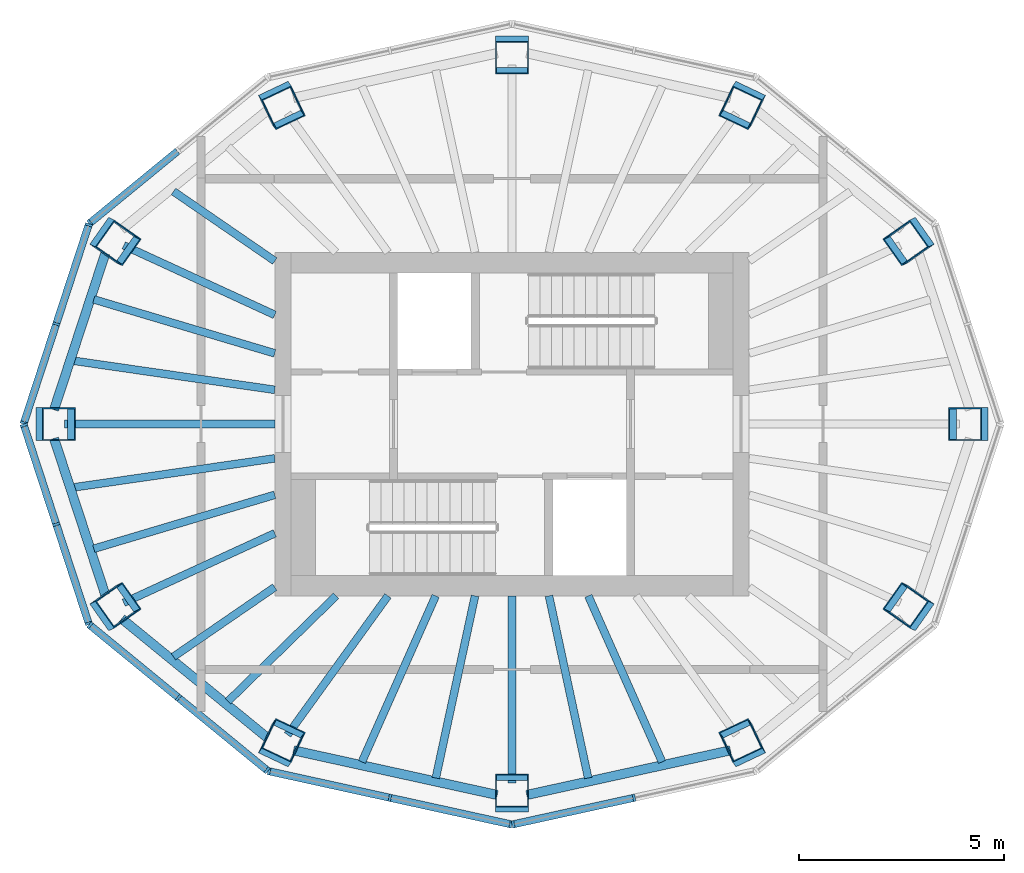
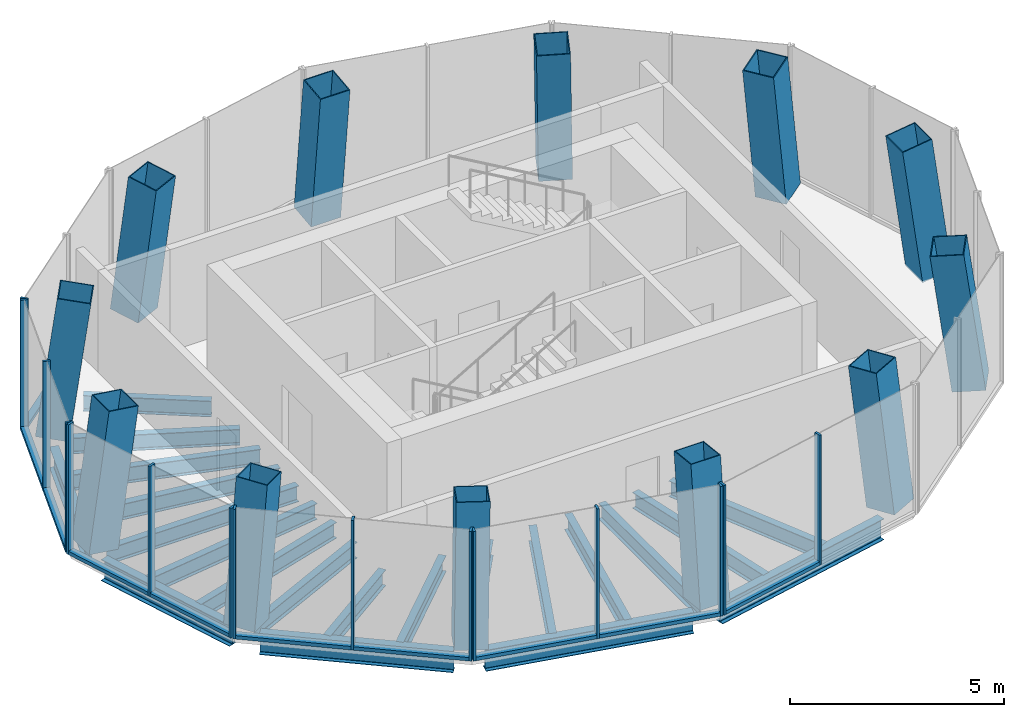
# One storey, part 1 of 5: 25 members, 21 beams, 12 columns, 6 elements without a shape of their own.
"""IFC4 building model written with IfcOpenShell, lengths in metres."""

from ifc_helpers import new_model, si_unit, direction, frame, origin, origin_2d, place, context, subcontext, project, spatial, rectangle, hollow_rectangle, i_section, extrude, material, layer, layer_set, material_profile, profile_set, type_object, element, aggregate, save


model = new_model("IFC4")

# Units and contexts
model_context = context("Model", 3, precision=1e-05, world=origin(), true_north=direction((0.0, 1.0)))
body_context = subcontext(model_context, "Body", "Model", "MODEL_VIEW")
ifc_project = project(units=[si_unit("LENGTHUNIT", "METRE"), si_unit("AREAUNIT", "SQUARE_METRE"), si_unit("VOLUMEUNIT", "CUBIC_METRE"), si_unit("PLANEANGLEUNIT", "RADIAN"), si_unit("MASSUNIT", "GRAM", prefix="KILO")], contexts=[model_context])

# Site, building, storey
site_placement = place(None, origin())
site = spatial("IfcSite", under=ifc_project, at=site_placement, CompositionType="ELEMENT")
building_placement = place(site_placement, origin())
building = spatial("IfcBuilding", under=site, at=building_placement, Name="Siaravel Broadcast Tower", CompositionType="ELEMENT")
storey_placement = place(building_placement, frame((0.0, 0.0, 280.39990234375)))
storey = spatial("IfcBuildingStorey", under=building, at=storey_placement, Name="L68", CompositionType="ELEMENT", Elevation=280.39990234375)

# Columns
ifc_material_1 = material(Name="Concrete C50/60", Category="concrete")
ifc_material_profile_1 = material_profile(ifc_material_1, hollow_rectangle(XDim=0.800048828125, YDim=0.800048828125, WallThickness=0.02490234375, at=origin_2d()))
ifc_profile_set_1 = profile_set([ifc_material_profile_1], Name="Concrete C50/60")
column_type = type_object("IfcColumnType", Name="Crown rib CFT BOX 800x800x25", PredefinedType="COLUMN", material=ifc_profile_set_1)
column_1_placement = place(storey_placement, frame((11.24169921875, 0.0, 0.0), z_axis=(-0.136914367, 0.0, 0.990582887), x_axis=(0.0, -1.0, 0.0)))
element("IfcColumn", 1, at=column_1_placement, inside=storey, type_object=column_type, Name="Crown rib 01", PredefinedType="COLUMN", context=body_context, shape_type="SweptSolid", body=[
    extrude(hollow_rectangle(XDim=0.800048828125, YDim=0.800048828125, WallThickness=0.02490234375, at=origin_2d()), origin(), (0.0, 0.0, 1.0), 3.937255859375),
])
column_2_placement = place(storey_placement, frame((9.767333984375, 4.495849609375, 0.0), z_axis=(-0.119027382, -0.054797277, 0.991377698), x_axis=(0.574755947, -0.817978884, 0.023793837)))
element("IfcColumn", 2, at=column_2_placement, inside=storey, type_object=column_type, Name="Crown rib 02", PredefinedType="COLUMN", context=body_context, shape_type="SweptSolid", body=[
    extrude(hollow_rectangle(XDim=0.800048828125, YDim=0.800048828125, WallThickness=0.02490234375, at=origin_2d()), origin(), (0.0, 0.0, 1.0), 3.93408203125),
])
column_3_placement = place(storey_placement, frame((5.66796875, 7.847900390625, 0.0), z_axis=(-0.069183291, -0.095787468, 0.992994679), x_axis=(0.903250965, -0.428569231, 0.021589555)))
element("IfcColumn", 3, at=column_3_placement, inside=storey, type_object=column_type, Name="Crown rib 03", PredefinedType="COLUMN", context=body_context, shape_type="SweptSolid", body=[
    extrude(hollow_rectangle(XDim=0.800048828125, YDim=0.800048828125, WallThickness=0.02490234375, at=origin_2d()), origin(), (0.0, 0.0, 1.0), 3.927734375),
])
column_4_placement = place(storey_placement, frame((0.0, 9.090576171875, 0.0), z_axis=(0.0, -0.111046025, 0.993815265), x_axis=(1.0, 0.0, 0.0)))
element("IfcColumn", 4, at=column_4_placement, inside=storey, type_object=column_type, Name="Crown rib 04", PredefinedType="COLUMN", context=body_context, shape_type="SweptSolid", body=[
    extrude(hollow_rectangle(XDim=0.800048828125, YDim=0.800048828125, WallThickness=0.02490234375, at=origin_2d()), origin(), (0.0, 0.0, 1.0), 3.92431640625),
])
column_5_placement = place(storey_placement, frame((-5.66796875, 7.847900390625, 0.0), z_axis=(0.069183291, -0.095787468, 0.992994679), x_axis=(0.903250965, 0.428569231, -0.021589555)))
element("IfcColumn", 5, at=column_5_placement, inside=storey, type_object=column_type, Name="Crown rib 05", PredefinedType="COLUMN", context=body_context, shape_type="SweptSolid", body=[
    extrude(hollow_rectangle(XDim=0.800048828125, YDim=0.800048828125, WallThickness=0.02490234375, at=origin_2d()), origin(), (0.0, 0.0, 1.0), 3.927734375),
])
column_6_placement = place(storey_placement, frame((-9.767333984375, 4.495849609375, 0.0), z_axis=(0.119027382, -0.054797277, 0.991377698), x_axis=(0.574755947, 0.817978884, -0.023793837)))
element("IfcColumn", 6, at=column_6_placement, inside=storey, type_object=column_type, Name="Crown rib 06", PredefinedType="COLUMN", context=body_context, shape_type="SweptSolid", body=[
    extrude(hollow_rectangle(XDim=0.800048828125, YDim=0.800048828125, WallThickness=0.02490234375, at=origin_2d()), origin(), (0.0, 0.0, 1.0), 3.93408203125),
])
column_7_placement = place(storey_placement, frame((-11.24169921875, 0.0, 0.0), z_axis=(0.136914367, 0.0, 0.990582887), x_axis=(0.0, 1.0, 0.0)))
element("IfcColumn", 7, at=column_7_placement, inside=storey, type_object=column_type, Name="Crown rib 07", PredefinedType="COLUMN", context=body_context, shape_type="SweptSolid", body=[
    extrude(hollow_rectangle(XDim=0.800048828125, YDim=0.800048828125, WallThickness=0.02490234375, at=origin_2d()), origin(), (0.0, 0.0, 1.0), 3.937255859375),
])
column_8_placement = place(storey_placement, frame((-9.767333984375, -4.495849609375, 0.0), z_axis=(0.119027382, 0.054797277, 0.991377698), x_axis=(-0.574755947, 0.817978884, 0.023793837)))
element("IfcColumn", 8, at=column_8_placement, inside=storey, type_object=column_type, Name="Crown rib 08", PredefinedType="COLUMN", context=body_context, shape_type="SweptSolid", body=[
    extrude(hollow_rectangle(XDim=0.800048828125, YDim=0.800048828125, WallThickness=0.02490234375, at=origin_2d()), origin(), (0.0, 0.0, 1.0), 3.93408203125),
])
column_9_placement = place(storey_placement, frame((-5.66796875, -7.847900390625, 0.0), z_axis=(0.069183291, 0.095787468, 0.992994679), x_axis=(-0.903250965, 0.428569231, 0.021589555)))
element("IfcColumn", 9, at=column_9_placement, inside=storey, type_object=column_type, Name="Crown rib 09", PredefinedType="COLUMN", context=body_context, shape_type="SweptSolid", body=[
    extrude(hollow_rectangle(XDim=0.800048828125, YDim=0.800048828125, WallThickness=0.02490234375, at=origin_2d()), origin(), (0.0, 0.0, 1.0), 3.927734375),
])
column_10_placement = place(storey_placement, frame((0.0, -9.090576171875, 0.0), z_axis=(0.0, 0.111046025, 0.993815265), x_axis=(-1.0, 0.0, 0.0)))
element("IfcColumn", 10, at=column_10_placement, inside=storey, type_object=column_type, Name="Crown rib 10", PredefinedType="COLUMN", context=body_context, shape_type="SweptSolid", body=[
    extrude(hollow_rectangle(XDim=0.800048828125, YDim=0.800048828125, WallThickness=0.02490234375, at=origin_2d()), origin(), (0.0, 0.0, 1.0), 3.92431640625),
])
column_11_placement = place(storey_placement, frame((5.66796875, -7.847900390625, 0.0), z_axis=(-0.069183291, 0.095787468, 0.992994679), x_axis=(-0.903250965, -0.428569231, -0.021589555)))
element("IfcColumn", 11, at=column_11_placement, inside=storey, type_object=column_type, Name="Crown rib 11", PredefinedType="COLUMN", context=body_context, shape_type="SweptSolid", body=[
    extrude(hollow_rectangle(XDim=0.800048828125, YDim=0.800048828125, WallThickness=0.02490234375, at=origin_2d()), origin(), (0.0, 0.0, 1.0), 3.927734375),
])
column_12_placement = place(storey_placement, frame((9.767333984375, -4.495849609375, 0.0), z_axis=(-0.119027382, 0.054797277, 0.991377698), x_axis=(-0.574755947, -0.817978884, -0.023793837)))
element("IfcColumn", 12, at=column_12_placement, inside=storey, type_object=column_type, Name="Crown rib 12", PredefinedType="COLUMN", context=body_context, shape_type="SweptSolid", body=[
    extrude(hollow_rectangle(XDim=0.800048828125, YDim=0.800048828125, WallThickness=0.02490234375, at=origin_2d()), origin(), (0.0, 0.0, 1.0), 3.93408203125),
])

# Curtain wall, member
ifc_material_2 = material(Name="Aluminium 6063-T6", Category="aluminium")
ifc_layer = layer(ifc_material_2, 0.179931640625)
ifc_layer_set = layer_set([ifc_layer], Name="Aluminium 6063-T6")
curtain_wall_type = type_object("IfcCurtainWallType", Name="Crown glass facet wall", PredefinedType="NOTDEFINED", material=ifc_layer_set)
curtain_wall_1_placement = place(storey_placement, origin())
curtain_wall_1 = element("IfcCurtainWall", 13, at=curtain_wall_1_placement, inside=storey, type_object=curtain_wall_type, Name="L68 Crown glass facet wall 05", PredefinedType="NOTDEFINED")
ifc_material_profile_2 = material_profile(ifc_material_2, rectangle(XDim=0.179931640625, YDim=0.06005859375, at=origin_2d()))
ifc_profile_set_2 = profile_set([ifc_material_profile_2], Name="Aluminium 6063-T6")
member_type_1 = type_object("IfcMemberType", Name="CW-CR mullion", PredefinedType="MULLION", material=ifc_profile_set_2)
member_1_placement = place(storey_placement, frame((-10.316650390625, 4.91845703125, 0.0), z_axis=(0.0, 0.0, 1.0), x_axis=(0.633713047, -0.773568209, 0.0)))
member_1 = element("IfcMember", 14, at=member_1_placement, type_object=member_type_1, Name="CW-CR mullion 3", PredefinedType="MULLION", context=body_context, shape_type="SweptSolid", body=[
    extrude(rectangle(XDim=0.179931640625, YDim=0.06005859375, at=origin_2d()), origin(), (0.0, 0.0, 1.0), 3.7001953125),
])

# Curtain wall, members
curtain_wall_2_placement = place(storey_placement, origin())
curtain_wall_2 = element("IfcCurtainWall", 15, at=curtain_wall_2_placement, inside=storey, type_object=curtain_wall_type, Name="L68 Crown glass facet wall 06", PredefinedType="NOTDEFINED")
member_2_placement = place(storey_placement, frame((-10.34912109375, 4.870849609375, 0.0), z_axis=(0.0, 0.0, 1.0), x_axis=(0.950456051, -0.310858963, 0.0)))
member_2 = element("IfcMember", 16, at=member_2_placement, type_object=member_type_1, Name="CW-CR mullion 1", PredefinedType="MULLION", context=body_context, shape_type="SweptSolid", body=[
    extrude(rectangle(XDim=0.179931640625, YDim=0.06005859375, at=origin_2d()), origin(), (0.0, 0.0, 1.0), 3.7001953125),
])
member_3_placement = place(storey_placement, frame((-11.14111328125, 2.44970703125, 0.0), z_axis=(0.0, 0.0, 1.0), x_axis=(0.950456051, -0.310858963, 0.0)))
member_3 = element("IfcMember", 17, at=member_3_placement, type_object=member_type_1, Name="CW-CR mullion 2", PredefinedType="MULLION", context=body_context, shape_type="SweptSolid", body=[
    extrude(rectangle(XDim=0.179931640625, YDim=0.06005859375, at=origin_2d()), origin(), (0.0, 0.0, 1.0), 3.7001953125),
])
member_4_placement = place(storey_placement, frame((-11.93310546875, 0.028564453125, 0.0), z_axis=(0.0, 0.0, 1.0), x_axis=(0.950456051, -0.310858963, 0.0)))
member_4 = element("IfcMember", 18, at=member_4_placement, type_object=member_type_1, Name="CW-CR mullion 3", PredefinedType="MULLION", context=body_context, shape_type="SweptSolid", body=[
    extrude(rectangle(XDim=0.179931640625, YDim=0.06005859375, at=origin_2d()), origin(), (0.0, 0.0, 1.0), 3.7001953125),
])

curtain_wall_3_placement = place(storey_placement, origin())
curtain_wall_3 = element("IfcCurtainWall", 19, at=curtain_wall_3_placement, inside=storey, type_object=curtain_wall_type, Name="L68 Crown glass facet wall 07", PredefinedType="NOTDEFINED")
member_5_placement = place(storey_placement, frame((-11.93310546875, -0.028564453125, 0.0), z_axis=(0.0, 0.0, 1.0), x_axis=(0.950456051, 0.310858963, 0.0)))
member_5 = element("IfcMember", 20, at=member_5_placement, type_object=member_type_1, Name="CW-CR mullion 1", PredefinedType="MULLION", context=body_context, shape_type="SweptSolid", body=[
    extrude(rectangle(XDim=0.179931640625, YDim=0.06005859375, at=origin_2d()), origin(), (0.0, 0.0, 1.0), 3.7001953125),
])
member_6_placement = place(storey_placement, frame((-11.14111328125, -2.44970703125, 0.0), z_axis=(0.0, 0.0, 1.0), x_axis=(0.950456051, 0.310858963, 0.0)))
member_6 = element("IfcMember", 21, at=member_6_placement, type_object=member_type_1, Name="CW-CR mullion 2", PredefinedType="MULLION", context=body_context, shape_type="SweptSolid", body=[
    extrude(rectangle(XDim=0.179931640625, YDim=0.06005859375, at=origin_2d()), origin(), (0.0, 0.0, 1.0), 3.7001953125),
])
member_7_placement = place(storey_placement, frame((-10.34912109375, -4.870849609375, 0.0), z_axis=(0.0, 0.0, 1.0), x_axis=(0.950456051, 0.310858963, 0.0)))
member_7 = element("IfcMember", 22, at=member_7_placement, type_object=member_type_1, Name="CW-CR mullion 3", PredefinedType="MULLION", context=body_context, shape_type="SweptSolid", body=[
    extrude(rectangle(XDim=0.179931640625, YDim=0.06005859375, at=origin_2d()), origin(), (0.0, 0.0, 1.0), 3.7001953125),
])

curtain_wall_4_placement = place(storey_placement, origin())
curtain_wall_4 = element("IfcCurtainWall", 23, at=curtain_wall_4_placement, inside=storey, type_object=curtain_wall_type, Name="L68 Crown glass facet wall 08", PredefinedType="NOTDEFINED")
member_8_placement = place(storey_placement, frame((-10.316650390625, -4.91845703125, 0.0), z_axis=(0.0, 0.0, 1.0), x_axis=(0.633713047, 0.773568209, 0.0)))
member_8 = element("IfcMember", 24, at=member_8_placement, type_object=member_type_1, Name="CW-CR mullion 1", PredefinedType="MULLION", context=body_context, shape_type="SweptSolid", body=[
    extrude(rectangle(XDim=0.179931640625, YDim=0.06005859375, at=origin_2d()), origin(), (0.0, 0.0, 1.0), 3.7001953125),
])
member_9_placement = place(storey_placement, frame((-8.15380859375, -6.690185546875, 0.0), z_axis=(0.0, 0.0, 1.0), x_axis=(0.633713047, 0.773568209, 0.0)))
member_9 = element("IfcMember", 25, at=member_9_placement, type_object=member_type_1, Name="CW-CR mullion 2", PredefinedType="MULLION", context=body_context, shape_type="SweptSolid", body=[
    extrude(rectangle(XDim=0.179931640625, YDim=0.06005859375, at=origin_2d()), origin(), (0.0, 0.0, 1.0), 3.7001953125),
])
member_10_placement = place(storey_placement, frame((-5.99072265625, -8.462158203125, 0.0), z_axis=(0.0, 0.0, 1.0), x_axis=(0.633713047, 0.773568209, 0.0)))
member_10 = element("IfcMember", 26, at=member_10_placement, type_object=member_type_1, Name="CW-CR mullion 3", PredefinedType="MULLION", context=body_context, shape_type="SweptSolid", body=[
    extrude(rectangle(XDim=0.179931640625, YDim=0.06005859375, at=origin_2d()), origin(), (0.0, 0.0, 1.0), 3.7001953125),
])

curtain_wall_5_placement = place(storey_placement, origin())
curtain_wall_5 = element("IfcCurtainWall", 27, at=curtain_wall_5_placement, inside=storey, type_object=curtain_wall_type, Name="L68 Crown glass facet wall 09", PredefinedType="NOTDEFINED")
member_11_placement = place(storey_placement, frame((-5.938232421875, -8.48779296875, 0.0), z_axis=(0.0, 0.0, 1.0), x_axis=(0.214394002, 0.976747261, 0.0)))
member_11 = element("IfcMember", 28, at=member_11_placement, type_object=member_type_1, Name="CW-CR mullion 1", PredefinedType="MULLION", context=body_context, shape_type="SweptSolid", body=[
    extrude(rectangle(XDim=0.179931640625, YDim=0.06005859375, at=origin_2d()), origin(), (0.0, 0.0, 1.0), 3.7001953125),
])
member_12_placement = place(storey_placement, frame((-2.98388671875, -9.13623046875, 0.0), z_axis=(0.0, 0.0, 1.0), x_axis=(0.214394002, 0.976747261, 0.0)))
member_12 = element("IfcMember", 29, at=member_12_placement, type_object=member_type_1, Name="CW-CR mullion 2", PredefinedType="MULLION", context=body_context, shape_type="SweptSolid", body=[
    extrude(rectangle(XDim=0.179931640625, YDim=0.06005859375, at=origin_2d()), origin(), (0.0, 0.0, 1.0), 3.7001953125),
])
member_13_placement = place(storey_placement, frame((-0.029296875, -9.78466796875, 0.0), z_axis=(0.0, 0.0, 1.0), x_axis=(0.214394002, 0.976747261, 0.0)))
member_13 = element("IfcMember", 30, at=member_13_placement, type_object=member_type_1, Name="CW-CR mullion 3", PredefinedType="MULLION", context=body_context, shape_type="SweptSolid", body=[
    extrude(rectangle(XDim=0.179931640625, YDim=0.06005859375, at=origin_2d()), origin(), (0.0, 0.0, 1.0), 3.7001953125),
])

curtain_wall_6_placement = place(storey_placement, origin())
curtain_wall_6 = element("IfcCurtainWall", 31, at=curtain_wall_6_placement, inside=storey, type_object=curtain_wall_type, Name="L68 Crown glass facet wall 10", PredefinedType="NOTDEFINED")
member_14_placement = place(storey_placement, frame((0.029296875, -9.78466796875, 0.0), z_axis=(0.0, 0.0, 1.0), x_axis=(-0.214394002, 0.976747261, 0.0)))
member_14 = element("IfcMember", 32, at=member_14_placement, type_object=member_type_1, Name="CW-CR mullion 1", PredefinedType="MULLION", context=body_context, shape_type="SweptSolid", body=[
    extrude(rectangle(XDim=0.179931640625, YDim=0.06005859375, at=origin_2d()), origin(), (0.0, 0.0, 1.0), 3.7001953125),
])
member_15_placement = place(storey_placement, frame((2.98388671875, -9.13623046875, 0.0), z_axis=(0.0, 0.0, 1.0), x_axis=(-0.214394002, 0.976747261, 0.0)))
member_15 = element("IfcMember", 33, at=member_15_placement, type_object=member_type_1, Name="CW-CR mullion 2", PredefinedType="MULLION", context=body_context, shape_type="SweptSolid", body=[
    extrude(rectangle(XDim=0.179931640625, YDim=0.06005859375, at=origin_2d()), origin(), (0.0, 0.0, 1.0), 3.7001953125),
])

# Member
ifc_material_profile_3 = material_profile(ifc_material_2, rectangle(XDim=0.179931640625, YDim=0.10009765625, at=origin_2d()))
ifc_profile_set_3 = profile_set([ifc_material_profile_3], Name="Aluminium 6063-T6")
member_type_2 = type_object("IfcMemberType", Name="CW-CR transom", PredefinedType="USERDEFINED", material=ifc_profile_set_3)
member_16_placement = place(storey_placement, frame((-8.177001953125, 6.67138671875, 0.050048828125), z_axis=(-0.773555598, -0.633728441, 0.0), x_axis=(0.633728441, -0.773555598, 0.0)))
member_16 = element("IfcMember", 34, at=member_16_placement, type_object=member_type_2, Name="CW-CR transom 2", ObjectType="TRANSOM", PredefinedType="USERDEFINED", context=body_context, shape_type="SweptSolid", body=[
    extrude(rectangle(XDim=0.179931640625, YDim=0.10009765625, at=origin_2d()), origin(), (0.0, 0.0, 1.0), 2.736083984375),
])

aggregate(curtain_wall_1, [member_1, member_16])

member_17_placement = place(storey_placement, frame((-10.358642578125, 4.84228515625, 0.050048828125), z_axis=(-0.310863345, -0.950454618, 0.0), x_axis=(0.950454618, -0.310863345, 0.0)))
member_17 = element("IfcMember", 35, at=member_17_placement, type_object=member_type_2, Name="CW-CR transom 1", ObjectType="TRANSOM", PredefinedType="USERDEFINED", context=body_context, shape_type="SweptSolid", body=[
    extrude(rectangle(XDim=0.179931640625, YDim=0.10009765625, at=origin_2d()), origin(), (0.0, 0.0, 1.0), 2.4873046875),
])

member_18_placement = place(storey_placement, frame((-11.150390625, 2.421142578125, 0.050048828125), z_axis=(-0.310834346, -0.950464102, 0.0), x_axis=(0.950464102, -0.310834346, 0.0)))
member_18 = element("IfcMember", 36, at=member_18_placement, type_object=member_type_2, Name="CW-CR transom 2", ObjectType="TRANSOM", PredefinedType="USERDEFINED", context=body_context, shape_type="SweptSolid", body=[
    extrude(rectangle(XDim=0.179931640625, YDim=0.10009765625, at=origin_2d()), origin(), (0.0, 0.0, 1.0), 2.487548828125),
])

aggregate(curtain_wall_2, [member_2, member_3, member_4, member_17, member_18])

member_19_placement = place(storey_placement, frame((-11.923583984375, -0.056884765625, 0.050048828125), z_axis=(0.310834346, -0.950464102, 0.0), x_axis=(0.950464102, 0.310834346, 0.0)))
member_19 = element("IfcMember", 37, at=member_19_placement, type_object=member_type_2, Name="CW-CR transom 1", ObjectType="TRANSOM", PredefinedType="USERDEFINED", context=body_context, shape_type="SweptSolid", body=[
    extrude(rectangle(XDim=0.179931640625, YDim=0.10009765625, at=origin_2d()), origin(), (0.0, 0.0, 1.0), 2.487548828125),
])

member_20_placement = place(storey_placement, frame((-11.1318359375, -2.478271484375, 0.050048828125), z_axis=(0.310863345, -0.950454618, 0.0), x_axis=(0.950454618, 0.310863345, 0.0)))
member_20 = element("IfcMember", 38, at=member_20_placement, type_object=member_type_2, Name="CW-CR transom 2", ObjectType="TRANSOM", PredefinedType="USERDEFINED", context=body_context, shape_type="SweptSolid", body=[
    extrude(rectangle(XDim=0.179931640625, YDim=0.10009765625, at=origin_2d()), origin(), (0.0, 0.0, 1.0), 2.4873046875),
])

aggregate(curtain_wall_3, [member_5, member_6, member_7, member_19, member_20])

member_21_placement = place(storey_placement, frame((-10.29345703125, -4.9375, 0.050048828125), z_axis=(0.773555598, -0.633728441, 0.0), x_axis=(0.633728441, 0.773555598, 0.0)))
member_21 = element("IfcMember", 39, at=member_21_placement, type_object=member_type_2, Name="CW-CR transom 1", ObjectType="TRANSOM", PredefinedType="USERDEFINED", context=body_context, shape_type="SweptSolid", body=[
    extrude(rectangle(XDim=0.179931640625, YDim=0.10009765625, at=origin_2d()), origin(), (0.0, 0.0, 1.0), 2.736083984375),
])

member_22_placement = place(storey_placement, frame((-8.130615234375, -6.709228515625, 0.050048828125), z_axis=(0.773591431, -0.633684699, 0.0), x_axis=(0.633684699, 0.773591431, 0.0)))
member_22 = element("IfcMember", 40, at=member_22_placement, type_object=member_type_2, Name="CW-CR transom 2", ObjectType="TRANSOM", PredefinedType="USERDEFINED", context=body_context, shape_type="SweptSolid", body=[
    extrude(rectangle(XDim=0.179931640625, YDim=0.10009765625, at=origin_2d()), origin(), (0.0, 0.0, 1.0), 2.736083984375),
])

aggregate(curtain_wall_4, [member_8, member_9, member_10, member_21, member_22])

member_23_placement = place(storey_placement, frame((-5.908935546875, -8.494140625, 0.050048828125), z_axis=(0.976755278, -0.214357473, 0.0), x_axis=(0.214357473, 0.976755278, 0.0)))
member_23 = element("IfcMember", 41, at=member_23_placement, type_object=member_type_2, Name="CW-CR transom 1", ObjectType="TRANSOM", PredefinedType="USERDEFINED", context=body_context, shape_type="SweptSolid", body=[
    extrude(rectangle(XDim=0.179931640625, YDim=0.10009765625, at=origin_2d()), origin(), (0.0, 0.0, 1.0), 2.964599609375),
])

member_24_placement = place(storey_placement, frame((-2.95458984375, -9.142578125, 0.050048828125), z_axis=(0.97674182, -0.214418791, 0.0), x_axis=(0.214418791, 0.97674182, 0.0)))
member_24 = element("IfcMember", 42, at=member_24_placement, type_object=member_type_2, Name="CW-CR transom 2", ObjectType="TRANSOM", PredefinedType="USERDEFINED", context=body_context, shape_type="SweptSolid", body=[
    extrude(rectangle(XDim=0.179931640625, YDim=0.10009765625, at=origin_2d()), origin(), (0.0, 0.0, 1.0), 2.96484375),
])

aggregate(curtain_wall_5, [member_11, member_12, member_13, member_23, member_24])

member_25_placement = place(storey_placement, frame((0.05859375, -9.7783203125, 0.050048828125), z_axis=(0.97674182, 0.214418791, 0.0), x_axis=(-0.214418791, 0.97674182, 0.0)))
member_25 = element("IfcMember", 43, at=member_25_placement, type_object=member_type_2, Name="CW-CR transom 1", ObjectType="TRANSOM", PredefinedType="USERDEFINED", context=body_context, shape_type="SweptSolid", body=[
    extrude(rectangle(XDim=0.179931640625, YDim=0.10009765625, at=origin_2d()), origin(), (0.0, 0.0, 1.0), 2.96484375),
])

aggregate(curtain_wall_6, [member_14, member_15, member_25])

# Beams
ifc_material_3 = material(Name="Steel S355", Category="steel")
ifc_material_profile_4 = material_profile(ifc_material_3, i_section(OverallWidth=0.18994140625, OverallDepth=0.453369140625, WebThickness=0.008544921875, FlangeThickness=0.0126953125, FilletRadius=0.01025390625, at=origin_2d()))
ifc_profile_set_4 = profile_set([ifc_material_profile_4], Name="Steel S355")
beam_type_1 = type_object("IfcBeamType", Name="Crown radial beam UB 457x191x67", PredefinedType="BEAM", material=ifc_profile_set_4)
beam_1_placement = place(storey_placement, frame((-8.27587890625, 5.688232421875, -0.426513671875), z_axis=(0.824115423, -0.566421901, 0.0), x_axis=(0.566421901, 0.824115423, 0.0)))
element("IfcBeam", 44, at=beam_1_placement, inside=storey, type_object=beam_type_1, Name="Crown radial beam 3-15", PredefinedType="BEAM", context=body_context, shape_type="SweptSolid", body=[
    extrude(i_section(OverallWidth=0.18994140625, OverallDepth=0.453369140625, WebThickness=0.008544921875, FlangeThickness=0.0126953125, FilletRadius=0.01025390625, at=origin_2d()), origin(), (0.0, 0.0, 1.0), 3.004150390625),
])
beam_2_placement = place(storey_placement, frame((-9.4912109375, 4.36865234375, -0.426513671875), z_axis=(0.908393252, -0.418116849, 0.0), x_axis=(0.418116849, 0.908393252, 0.0)))
element("IfcBeam", 45, at=beam_2_placement, inside=storey, type_object=beam_type_1, Name="Crown radial beam 3-16", PredefinedType="BEAM", context=body_context, shape_type="SweptSolid", body=[
    extrude(i_section(OverallWidth=0.18994140625, OverallDepth=0.453369140625, WebThickness=0.008544921875, FlangeThickness=0.0126953125, FilletRadius=0.01025390625, at=origin_2d()), origin(), (0.0, 0.0, 1.0), 4.0634765625),
])
beam_3_placement = place(storey_placement, frame((-10.22314453125, 3.0478515625, -0.426513671875), z_axis=(0.958321304, -0.285692629, 0.0), x_axis=(0.285692629, 0.958321304, 0.0)))
element("IfcBeam", 46, at=beam_3_placement, inside=storey, type_object=beam_type_1, Name="Crown radial beam 3-17", PredefinedType="BEAM", context=body_context, shape_type="SweptSolid", body=[
    extrude(i_section(OverallWidth=0.18994140625, OverallDepth=0.453369140625, WebThickness=0.008544921875, FlangeThickness=0.0126953125, FilletRadius=0.01025390625, at=origin_2d()), origin(), (0.0, 0.0, 1.0), 4.615478515625),
])
beam_4_placement = place(storey_placement, frame((-10.71630859375, 1.5478515625, -0.426513671875), z_axis=(0.989726116, -0.142976276, 0.0), x_axis=(0.142976276, 0.989726116, 0.0)))
element("IfcBeam", 47, at=beam_4_placement, inside=storey, type_object=beam_type_1, Name="Crown radial beam 3-18", PredefinedType="BEAM", context=body_context, shape_type="SweptSolid", body=[
    extrude(i_section(OverallWidth=0.18994140625, OverallDepth=0.453369140625, WebThickness=0.008544921875, FlangeThickness=0.0126953125, FilletRadius=0.01025390625, at=origin_2d()), origin(), (0.0, 0.0, 1.0), 4.96728515625),
])
beam_5_placement = place(storey_placement, frame((-10.94091796875, 0.0, -0.426513671875), z_axis=(1.0, 0.0, 0.0), x_axis=(0.0, 1.0, 0.0)))
element("IfcBeam", 48, at=beam_5_placement, inside=storey, type_object=beam_type_1, Name="Crown radial beam 3-19", PredefinedType="BEAM", context=body_context, shape_type="SweptSolid", body=[
    extrude(i_section(OverallWidth=0.18994140625, OverallDepth=0.453369140625, WebThickness=0.008544921875, FlangeThickness=0.0126953125, FilletRadius=0.01025390625, at=origin_2d()), origin(), (0.0, 0.0, 1.0), 5.140869140625),
])
beam_6_placement = place(storey_placement, frame((-10.71630859375, -1.5478515625, -0.426513671875), z_axis=(0.989726116, 0.142976276, 0.0), x_axis=(-0.142976276, 0.989726116, 0.0)))
element("IfcBeam", 49, at=beam_6_placement, inside=storey, type_object=beam_type_1, Name="Crown radial beam 3-20", PredefinedType="BEAM", context=body_context, shape_type="SweptSolid", body=[
    extrude(i_section(OverallWidth=0.18994140625, OverallDepth=0.453369140625, WebThickness=0.008544921875, FlangeThickness=0.0126953125, FilletRadius=0.01025390625, at=origin_2d()), origin(), (0.0, 0.0, 1.0), 4.96728515625),
])
beam_7_placement = place(storey_placement, frame((-10.22314453125, -3.0478515625, -0.426513671875), z_axis=(0.958321304, 0.285692629, 0.0), x_axis=(-0.285692629, 0.958321304, 0.0)))
element("IfcBeam", 50, at=beam_7_placement, inside=storey, type_object=beam_type_1, Name="Crown radial beam 3-21", PredefinedType="BEAM", context=body_context, shape_type="SweptSolid", body=[
    extrude(i_section(OverallWidth=0.18994140625, OverallDepth=0.453369140625, WebThickness=0.008544921875, FlangeThickness=0.0126953125, FilletRadius=0.01025390625, at=origin_2d()), origin(), (0.0, 0.0, 1.0), 4.615478515625),
])
beam_8_placement = place(storey_placement, frame((-9.4912109375, -4.36865234375, -0.426513671875), z_axis=(0.908393252, 0.418116849, 0.0), x_axis=(-0.418116849, 0.908393252, 0.0)))
element("IfcBeam", 51, at=beam_8_placement, inside=storey, type_object=beam_type_1, Name="Crown radial beam 3-22", PredefinedType="BEAM", context=body_context, shape_type="SweptSolid", body=[
    extrude(i_section(OverallWidth=0.18994140625, OverallDepth=0.453369140625, WebThickness=0.008544921875, FlangeThickness=0.0126953125, FilletRadius=0.01025390625, at=origin_2d()), origin(), (0.0, 0.0, 1.0), 4.0634765625),
])
beam_9_placement = place(storey_placement, frame((-8.27587890625, -5.688232421875, -0.426513671875), z_axis=(0.824115423, 0.566421901, 0.0), x_axis=(-0.566421901, 0.824115423, 0.0)))
element("IfcBeam", 52, at=beam_9_placement, inside=storey, type_object=beam_type_1, Name="Crown radial beam 3-23", PredefinedType="BEAM", context=body_context, shape_type="SweptSolid", body=[
    extrude(i_section(OverallWidth=0.18994140625, OverallDepth=0.453369140625, WebThickness=0.008544921875, FlangeThickness=0.0126953125, FilletRadius=0.01025390625, at=origin_2d()), origin(), (0.0, 0.0, 1.0), 3.004150390625),
])
beam_10_placement = place(storey_placement, frame((-6.941162109375, -6.77587890625, -0.426513671875), z_axis=(0.715563175, 0.698548025, 0.0), x_axis=(-0.698548025, 0.715563175, 0.0)))
element("IfcBeam", 53, at=beam_10_placement, inside=storey, type_object=beam_type_1, Name="Crown radial beam 3-24", PredefinedType="BEAM", context=body_context, shape_type="SweptSolid", body=[
    extrude(i_section(OverallWidth=0.18994140625, OverallDepth=0.453369140625, WebThickness=0.008544921875, FlangeThickness=0.0126953125, FilletRadius=0.01025390625, at=origin_2d()), origin(), (0.0, 0.0, 1.0), 3.6875),
])
beam_11_placement = place(storey_placement, frame((-5.486083984375, -7.59619140625, -0.426513671875), z_axis=(0.585458637, 0.810702279, 0.0), x_axis=(-0.810702279, 0.585458637, 0.0)))
element("IfcBeam", 54, at=beam_11_placement, inside=storey, type_object=beam_type_1, Name="Crown radial beam 3-25", PredefinedType="BEAM", context=body_context, shape_type="SweptSolid", body=[
    extrude(i_section(OverallWidth=0.18994140625, OverallDepth=0.453369140625, WebThickness=0.008544921875, FlangeThickness=0.0126953125, FilletRadius=0.01025390625, at=origin_2d()), origin(), (0.0, 0.0, 1.0), 4.189208984375),
])
beam_12_placement = place(storey_placement, frame((-3.66943359375, -8.2578125, -0.426513671875), z_axis=(0.406087452, 0.91383422, 0.0), x_axis=(-0.91383422, 0.406087452, 0.0)))
element("IfcBeam", 55, at=beam_12_placement, inside=storey, type_object=beam_type_1, Name="Crown radial beam 3-26", PredefinedType="BEAM", context=body_context, shape_type="SweptSolid", body=[
    extrude(i_section(OverallWidth=0.18994140625, OverallDepth=0.453369140625, WebThickness=0.008544921875, FlangeThickness=0.0126953125, FilletRadius=0.01025390625, at=origin_2d()), origin(), (0.0, 0.0, 1.0), 4.4404296875),
])
beam_13_placement = place(storey_placement, frame((-1.862548828125, -8.65234375, -0.426513671875), z_axis=(0.210455193, 0.977603504, 0.0), x_axis=(-0.977603504, 0.210455193, 0.0)))
element("IfcBeam", 56, at=beam_13_placement, inside=storey, type_object=beam_type_1, Name="Crown radial beam 3-27", PredefinedType="BEAM", context=body_context, shape_type="SweptSolid", body=[
    extrude(i_section(OverallWidth=0.18994140625, OverallDepth=0.453369140625, WebThickness=0.008544921875, FlangeThickness=0.0126953125, FilletRadius=0.01025390625, at=origin_2d()), origin(), (0.0, 0.0, 1.0), 4.554443359375),
])
beam_14_placement = place(storey_placement, frame((0.0, -8.7763671875, -0.426513671875), z_axis=(0.0, 1.0, 0.0), x_axis=(-1.0, 0.0, 0.0)))
element("IfcBeam", 57, at=beam_14_placement, inside=storey, type_object=beam_type_1, Name="Crown radial beam 3-28", PredefinedType="BEAM", context=body_context, shape_type="SweptSolid", body=[
    extrude(i_section(OverallWidth=0.18994140625, OverallDepth=0.453369140625, WebThickness=0.008544921875, FlangeThickness=0.0126953125, FilletRadius=0.01025390625, at=origin_2d()), origin(), (0.0, 0.0, 1.0), 4.576416015625),
])
beam_15_placement = place(storey_placement, frame((1.862548828125, -8.65234375, -0.426513671875), z_axis=(-0.210455193, 0.977603504, 0.0), x_axis=(-0.977603504, -0.210455193, 0.0)))
element("IfcBeam", 58, at=beam_15_placement, inside=storey, type_object=beam_type_1, Name="Crown radial beam 3-29", PredefinedType="BEAM", context=body_context, shape_type="SweptSolid", body=[
    extrude(i_section(OverallWidth=0.18994140625, OverallDepth=0.453369140625, WebThickness=0.008544921875, FlangeThickness=0.0126953125, FilletRadius=0.01025390625, at=origin_2d()), origin(), (0.0, 0.0, 1.0), 4.554443359375),
])
beam_16_placement = place(storey_placement, frame((3.66943359375, -8.2578125, -0.426513671875), z_axis=(-0.406087452, 0.91383422, 0.0), x_axis=(-0.91383422, -0.406087452, 0.0)))
element("IfcBeam", 59, at=beam_16_placement, inside=storey, type_object=beam_type_1, Name="Crown radial beam 3-30", PredefinedType="BEAM", context=body_context, shape_type="SweptSolid", body=[
    extrude(i_section(OverallWidth=0.18994140625, OverallDepth=0.453369140625, WebThickness=0.008544921875, FlangeThickness=0.0126953125, FilletRadius=0.01025390625, at=origin_2d()), origin(), (0.0, 0.0, 1.0), 4.4404296875),
])
ifc_material_profile_5 = material_profile(ifc_material_3, i_section(OverallWidth=0.2275390625, OverallDepth=0.6025390625, WebThickness=0.010498046875, FlangeThickness=0.014892578125, FilletRadius=0.0126953125, at=origin_2d()))
ifc_profile_set_5 = profile_set([ifc_material_profile_5], Name="Steel S355")
beam_type_2 = type_object("IfcBeamType", Name="Crown ring beam UB 610x229x101", PredefinedType="SPANDREL", material=ifc_profile_set_5)
for number, where, z_axis, x_axis, name in (
    (60, (-9.942626953125, 4.171875, -0.501220703125), (-0.311633362, -0.950202425, 0.0), (0.950202425, -0.311633362, 0.0), "Crown ring beam 3-06"),
    (61, (-11.195556640625, -0.3515625, -0.501220703125), (0.311633362, -0.950202425, 0.0), (0.950202425, 0.311633362, 0.0), "Crown ring beam 3-07"),
):
    element("IfcBeam", number, at=place(storey_placement, frame(where, z_axis=z_axis, x_axis=x_axis)), inside=storey, type_object=beam_type_2, Name=name, PredefinedType="SPANDREL", context=body_context, shape_type="SweptSolid", body=[
        extrude(i_section(OverallWidth=0.2275390625, OverallDepth=0.6025390625, WebThickness=0.010498046875, FlangeThickness=0.014892578125, FilletRadius=0.0126953125, at=origin_2d()), origin(), (0.0, 0.0, 1.0), 4.0205078125),
    ])
beam_17_placement = place(storey_placement, frame((-9.541015625, -4.757568359375, -0.501220703125), z_axis=(0.774137453, -0.633017538, 0.0), x_axis=(0.633017538, 0.774137453, 0.0)))
element("IfcBeam", 62, at=beam_17_placement, inside=storey, type_object=beam_type_2, Name="Crown ring beam 3-08", PredefinedType="SPANDREL", context=body_context, shape_type="SweptSolid", body=[
    extrude(i_section(OverallWidth=0.2275390625, OverallDepth=0.6025390625, WebThickness=0.010498046875, FlangeThickness=0.014892578125, FilletRadius=0.0126953125, at=origin_2d()), origin(), (0.0, 0.0, 1.0), 4.588134765625),
])
for number, where, z_axis, x_axis, name in (
    (63, (-5.34130859375, -7.975341796875, -0.501220703125), (0.976800567, -0.214151002, 0.0), (0.214151002, 0.976800567, 0.0), "Crown ring beam 3-09"),
    (64, (0.361328125, -9.067138671875, -0.501220703125), (0.976800567, 0.214151002, 0.0), (-0.214151002, 0.976800567, 0.0), "Crown ring beam 3-10"),
):
    element("IfcBeam", number, at=place(storey_placement, frame(where, z_axis=z_axis, x_axis=x_axis)), inside=storey, type_object=beam_type_2, Name=name, PredefinedType="SPANDREL", context=body_context, shape_type="SweptSolid", body=[
        extrude(i_section(OverallWidth=0.2275390625, OverallDepth=0.6025390625, WebThickness=0.010498046875, FlangeThickness=0.014892578125, FilletRadius=0.0126953125, at=origin_2d()), origin(), (0.0, 0.0, 1.0), 5.09814453125),
    ])

save(model, "model.ifc")
